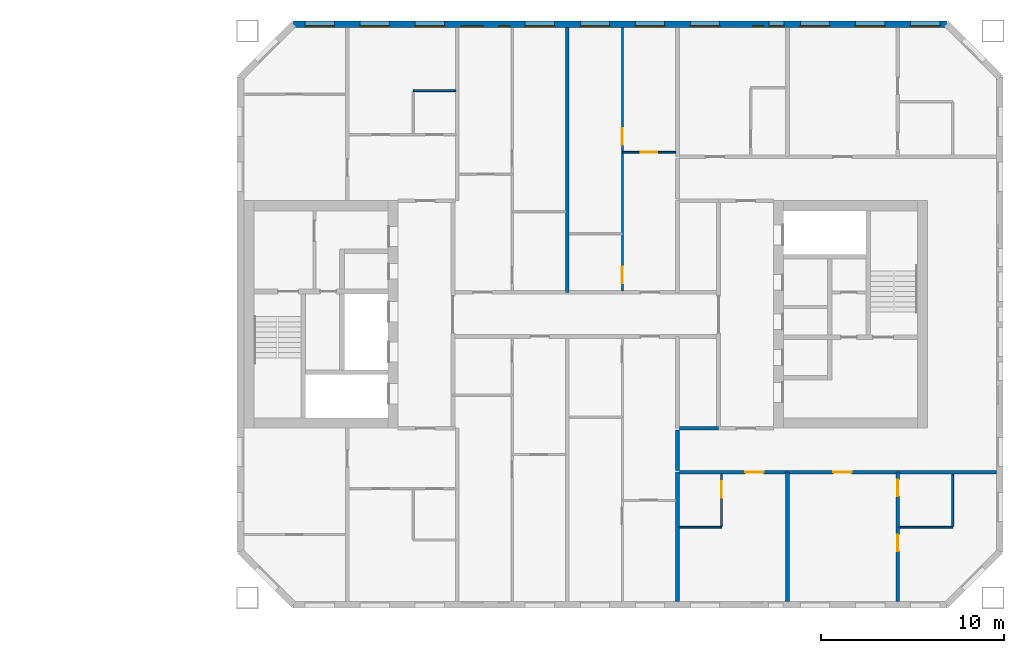
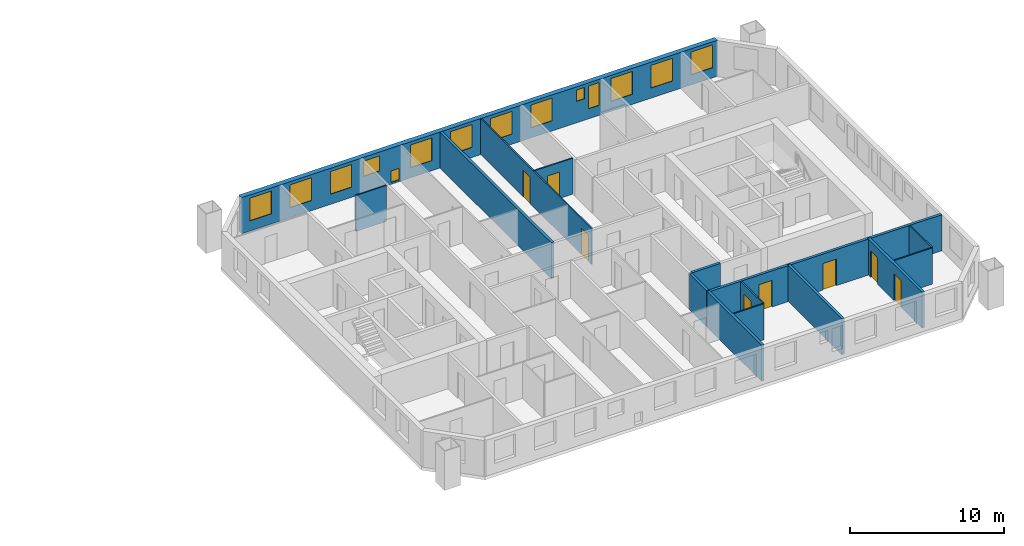
# One storey, part 12 of 16: 15 walls, 14 windows, 8 doors, 22 openings.
"""IFC4 building model written with IfcOpenShell, lengths in metres."""

from ifc_helpers import new_model, si_unit, direction, frame, frame_2d, origin, place, context, subcontext, project, spatial, rectangle, extrude, material, layer, layer_set, type_object, element, fill, save


model = new_model("IFC4")

# Units and contexts
model_context = context("Model", 3, precision=1e-05, world=origin(), true_north=direction((0.0, 1.0)))
body_context = subcontext(model_context, "Body", "Model", "MODEL_VIEW")
ifc_project = project(units=[si_unit("LENGTHUNIT", "METRE"), si_unit("AREAUNIT", "SQUARE_METRE"), si_unit("VOLUMEUNIT", "CUBIC_METRE"), si_unit("PLANEANGLEUNIT", "RADIAN"), si_unit("MASSUNIT", "GRAM", prefix="KILO")], contexts=[model_context])

# Site, building, storey
site_placement = place(None, origin())
site = spatial("IfcSite", under=ifc_project, at=site_placement, CompositionType="ELEMENT")
building_placement = place(site_placement, origin())
building = spatial("IfcBuilding", under=site, at=building_placement, Name="Tuart Gate Housing", CompositionType="ELEMENT")
storey_placement = place(building_placement, frame((0.0, 0.0, 133.0)))
storey = spatial("IfcBuildingStorey", under=building, at=storey_placement, Name="L37", CompositionType="ELEMENT", Elevation=133.0)

# Wall, openings, windows
ifc_material_1 = material(Name="Brick", Category="masonry")
ifc_layer_1 = layer(ifc_material_1, 0.360107421875)
ifc_layer_set_1 = layer_set([ifc_layer_1], Name="Brick pier and spandrel wall 360")
wall_type_1 = type_object("IfcWallType", Name="Brick pier and spandrel wall 360", PredefinedType="STANDARD", material=ifc_layer_set_1)
wall_1_placement = place(storey_placement, frame((169.67529296875, 85.820068359375, 0.0), z_axis=(0.0, 0.0, 1.0), x_axis=(-1.0, 0.0, 0.0)))
wall_1 = element("IfcWall", 1, at=wall_1_placement, inside=storey, type_object=wall_type_1, Name="External wall B-N L37", PredefinedType="STANDARD", context=body_context, shape_type="SweptSolid", body=[
    extrude(rectangle(XDim=35.600830078125, YDim=0.360107421875, at=frame_2d((17.80029296875, 0.0))), origin(), (0.0, 0.0, 1.0), 2.85009765625),
])
opening_1_placement = place(wall_1_placement, frame((0.37548828125, 0.0, 0.800048828125)))
opening_1 = element("IfcOpeningElement", 2, at=opening_1_placement, cuts=wall_1, Name="Opening W1", PredefinedType="OPENING", context=body_context, shape_type="SweptSolid", body=[
    extrude(rectangle(XDim=1.60009765625, YDim=1.800048828125, at=frame_2d((0.800048828125, 0.89990234375))), frame((0.0, 0.18994140625, 0.0), z_axis=(0.0, -1.0, 0.0), x_axis=(1.0, 0.0, 0.0)), (0.0, 0.0, 1.0), 0.380126953125),
])
opening_2_placement = place(wall_1_placement, frame((3.37548828125, 0.0, 0.800048828125)))
opening_2 = element("IfcOpeningElement", 3, at=opening_2_placement, cuts=wall_1, Name="Opening W1", PredefinedType="OPENING", context=body_context, shape_type="SweptSolid", body=[
    extrude(rectangle(XDim=1.60009765625, YDim=1.800048828125, at=frame_2d((0.800048828125, 0.89990234375))), frame((0.0, 0.18994140625, 0.0), z_axis=(0.0, -1.0, 0.0), x_axis=(1.0, 0.0, 0.0)), (0.0, 0.0, 1.0), 0.380126953125),
])
opening_3_placement = place(wall_1_placement, frame((6.37548828125, 0.0, 0.800048828125)))
opening_3 = element("IfcOpeningElement", 4, at=opening_3_placement, cuts=wall_1, Name="Opening W1", PredefinedType="OPENING", context=body_context, shape_type="SweptSolid", body=[
    extrude(rectangle(XDim=1.60009765625, YDim=1.800048828125, at=frame_2d((0.800048828125, 0.89990234375))), frame((0.0, 0.18994140625, 0.0), z_axis=(0.0, -1.0, 0.0), x_axis=(1.0, 0.0, 0.0)), (0.0, 0.0, 1.0), 0.380126953125),
])
opening_4_placement = place(wall_1_placement, frame((8.87548828125, 0.0, 0.800048828125)))
opening_4 = element("IfcOpeningElement", 5, at=opening_4_placement, cuts=wall_1, Name="Opening W1D", PredefinedType="OPENING", context=body_context, shape_type="SweptSolid", body=[
    extrude(rectangle(XDim=0.800048828125, YDim=1.800048828125, at=frame_2d((0.39990234375, 0.89990234375))), frame((0.0, 0.18994140625, 0.0), z_axis=(0.0, -1.0, 0.0), x_axis=(1.0, 0.0, 0.0)), (0.0, 0.0, 1.0), 0.380126953125),
])
opening_5_placement = place(wall_1_placement, frame((12.37548828125, 0.0, 0.800048828125)))
opening_5 = element("IfcOpeningElement", 6, at=opening_5_placement, cuts=wall_1, Name="Opening W1", PredefinedType="OPENING", context=body_context, shape_type="SweptSolid", body=[
    extrude(rectangle(XDim=1.60009765625, YDim=1.800048828125, at=frame_2d((0.800048828125, 0.89990234375))), frame((0.0, 0.18994140625, 0.0), z_axis=(0.0, -1.0, 0.0), x_axis=(1.0, 0.0, 0.0)), (0.0, 0.0, 1.0), 0.380126953125),
])
opening_6_placement = place(wall_1_placement, frame((15.37548828125, 0.0, 0.800048828125)))
opening_6 = element("IfcOpeningElement", 7, at=opening_6_placement, cuts=wall_1, Name="Opening W1", PredefinedType="OPENING", context=body_context, shape_type="SweptSolid", body=[
    extrude(rectangle(XDim=1.60009765625, YDim=1.800048828125, at=frame_2d((0.800048828125, 0.89990234375))), frame((0.0, 0.18994140625, 0.0), z_axis=(0.0, -1.0, 0.0), x_axis=(1.0, 0.0, 0.0)), (0.0, 0.0, 1.0), 0.380126953125),
])
opening_7_placement = place(wall_1_placement, frame((18.37548828125, 0.0, 0.800048828125)))
opening_7 = element("IfcOpeningElement", 8, at=opening_7_placement, cuts=wall_1, Name="Opening W1", PredefinedType="OPENING", context=body_context, shape_type="SweptSolid", body=[
    extrude(rectangle(XDim=1.60009765625, YDim=1.800048828125, at=frame_2d((0.800048828125, 0.89990234375))), frame((0.0, 0.18994140625, 0.0), z_axis=(0.0, -1.0, 0.0), x_axis=(1.0, 0.0, 0.0)), (0.0, 0.0, 1.0), 0.380126953125),
])
opening_8_placement = place(wall_1_placement, frame((21.37548828125, 0.0, 0.800048828125)))
opening_8 = element("IfcOpeningElement", 9, at=opening_8_placement, cuts=wall_1, Name="Opening W1", PredefinedType="OPENING", context=body_context, shape_type="SweptSolid", body=[
    extrude(rectangle(XDim=1.60009765625, YDim=1.800048828125, at=frame_2d((0.800048828125, 0.89990234375))), frame((0.0, 0.18994140625, 0.0), z_axis=(0.0, -1.0, 0.0), x_axis=(1.0, 0.0, 0.0)), (0.0, 0.0, 1.0), 0.380126953125),
])
opening_9_placement = place(wall_1_placement, frame((23.825439453125, 0.0, 0.14990234375)))
opening_9 = element("IfcOpeningElement", 10, at=opening_9_placement, cuts=wall_1, Name="Opening W1W", PredefinedType="OPENING", context=body_context, shape_type="SweptSolid", body=[
    extrude(rectangle(XDim=0.60009765625, YDim=0.89990234375, at=frame_2d((0.300048828125, 0.449951171875))), frame((0.0, 0.18994140625, 0.0), z_axis=(0.0, -1.0, 0.0), x_axis=(1.0, 0.0, 0.0)), (0.0, 0.0, 1.0), 0.380126953125),
])
opening_10_placement = place(wall_1_placement, frame((27.37548828125, 0.0, 0.800048828125)))
opening_10 = element("IfcOpeningElement", 11, at=opening_10_placement, cuts=wall_1, Name="Opening W1", PredefinedType="OPENING", context=body_context, shape_type="SweptSolid", body=[
    extrude(rectangle(XDim=1.60009765625, YDim=1.800048828125, at=frame_2d((0.800048828125, 0.89990234375))), frame((0.0, 0.18994140625, 0.0), z_axis=(0.0, -1.0, 0.0), x_axis=(1.0, 0.0, 0.0)), (0.0, 0.0, 1.0), 0.380126953125),
])
opening_11_placement = place(wall_1_placement, frame((30.37548828125, 0.0, 0.800048828125)))
opening_11 = element("IfcOpeningElement", 12, at=opening_11_placement, cuts=wall_1, Name="Opening W1", PredefinedType="OPENING", context=body_context, shape_type="SweptSolid", body=[
    extrude(rectangle(XDim=1.60009765625, YDim=1.800048828125, at=frame_2d((0.800048828125, 0.89990234375))), frame((0.0, 0.18994140625, 0.0), z_axis=(0.0, -1.0, 0.0), x_axis=(1.0, 0.0, 0.0)), (0.0, 0.0, 1.0), 0.380126953125),
])
opening_12_placement = place(wall_1_placement, frame((33.37548828125, 0.0, 0.800048828125)))
opening_12 = element("IfcOpeningElement", 13, at=opening_12_placement, cuts=wall_1, Name="Opening W1", PredefinedType="OPENING", context=body_context, shape_type="SweptSolid", body=[
    extrude(rectangle(XDim=1.60009765625, YDim=1.800048828125, at=frame_2d((0.800048828125, 0.89990234375))), frame((0.0, 0.18994140625, 0.0), z_axis=(0.0, -1.0, 0.0), x_axis=(1.0, 0.0, 0.0)), (0.0, 0.0, 1.0), 0.380126953125),
])
opening_13_placement = place(wall_1_placement, frame((9.975341796875, 0.0, 1.699951171875)))
opening_13 = element("IfcOpeningElement", 14, at=opening_13_placement, cuts=wall_1, Name="Opening W1W", PredefinedType="OPENING", context=body_context, shape_type="SweptSolid", body=[
    extrude(rectangle(XDim=0.60009765625, YDim=0.89990234375, at=frame_2d((0.300048828125, 0.449951171875))), frame((0.0, 0.18994140625, 0.0), z_axis=(0.0, -1.0, 0.0), x_axis=(1.0, 0.0, 0.0)), (0.0, 0.0, 1.0), 0.380126953125),
])
opening_14_placement = place(wall_1_placement, frame((25.275390625, 0.0, 1.35009765625)))
opening_14 = element("IfcOpeningElement", 15, at=opening_14_placement, cuts=wall_1, Name="Opening W1N", PredefinedType="OPENING", context=body_context, shape_type="SweptSolid", body=[
    extrude(rectangle(XDim=1.199951171875, YDim=1.199951171875, at=frame_2d((0.60009765625, 0.60009765625))), frame((0.0, 0.18994140625, 0.0), z_axis=(0.0, -1.0, 0.0), x_axis=(1.0, 0.0, 0.0)), (0.0, 0.0, 1.0), 0.380126953125),
])
ifc_material_2 = material(Name="Aluminium frame with clear glass", Category="aluminium")
window_type_1 = type_object("IfcWindowType", Name="Punched window 1200 x 1200", PartitioningType="SINGLE_PANEL", PredefinedType="WINDOW", material=ifc_material_2)
window_1_placement = place(opening_14_placement, origin())
window_1 = element("IfcWindow", 16, at=window_1_placement, inside=storey, type_object=window_type_1, Name="Window W1N", OverallHeight=1.199951171875, OverallWidth=1.199951171875, PartitioningType="SINGLE_PANEL", PredefinedType="WINDOW", context=body_context, shape_type="SweptSolid", body=[
    extrude(rectangle(XDim=1.199951171875, YDim=1.199951171875, at=frame_2d((0.60009765625, 0.60009765625))), frame((0.0, 0.150146484375, 0.0), z_axis=(0.0, -1.0, 0.0), x_axis=(1.0, 0.0, 0.0)), (0.0, 0.0, 1.0), 0.06005859375),
])
fill(opening_14, window_1)
ifc_material_3 = material(Name="Aluminium frame with clear glass", Category="aluminium")
window_type_2 = type_object("IfcWindowType", Name="Punched window 1600 x 1800", PartitioningType="SINGLE_PANEL", PredefinedType="WINDOW", material=ifc_material_3)
window_2_placement = place(opening_1_placement, origin())
window_2 = element("IfcWindow", 17, at=window_2_placement, inside=storey, type_object=window_type_2, Name="Window W1", OverallHeight=1.800048828125, OverallWidth=1.60009765625, PartitioningType="SINGLE_PANEL", PredefinedType="WINDOW", context=body_context, shape_type="SweptSolid", body=[
    extrude(rectangle(XDim=1.60009765625, YDim=1.800048828125, at=frame_2d((0.800048828125, 0.89990234375))), frame((0.0, 0.150146484375, 0.0), z_axis=(0.0, -1.0, 0.0), x_axis=(1.0, 0.0, 0.0)), (0.0, 0.0, 1.0), 0.06005859375),
])
fill(opening_1, window_2)
window_3_placement = place(opening_2_placement, origin())
window_3 = element("IfcWindow", 18, at=window_3_placement, inside=storey, type_object=window_type_2, Name="Window W1", OverallHeight=1.800048828125, OverallWidth=1.60009765625, PartitioningType="SINGLE_PANEL", PredefinedType="WINDOW", context=body_context, shape_type="SweptSolid", body=[
    extrude(rectangle(XDim=1.60009765625, YDim=1.800048828125, at=frame_2d((0.800048828125, 0.89990234375))), frame((0.0, 0.150146484375, 0.0), z_axis=(0.0, -1.0, 0.0), x_axis=(1.0, 0.0, 0.0)), (0.0, 0.0, 1.0), 0.06005859375),
])
fill(opening_2, window_3)
window_4_placement = place(opening_3_placement, origin())
window_4 = element("IfcWindow", 19, at=window_4_placement, inside=storey, type_object=window_type_2, Name="Window W1", OverallHeight=1.800048828125, OverallWidth=1.60009765625, PartitioningType="SINGLE_PANEL", PredefinedType="WINDOW", context=body_context, shape_type="SweptSolid", body=[
    extrude(rectangle(XDim=1.60009765625, YDim=1.800048828125, at=frame_2d((0.800048828125, 0.89990234375))), frame((0.0, 0.150146484375, 0.0), z_axis=(0.0, -1.0, 0.0), x_axis=(1.0, 0.0, 0.0)), (0.0, 0.0, 1.0), 0.06005859375),
])
fill(opening_3, window_4)
window_5_placement = place(opening_5_placement, origin())
window_5 = element("IfcWindow", 20, at=window_5_placement, inside=storey, type_object=window_type_2, Name="Window W1", OverallHeight=1.800048828125, OverallWidth=1.60009765625, PartitioningType="SINGLE_PANEL", PredefinedType="WINDOW", context=body_context, shape_type="SweptSolid", body=[
    extrude(rectangle(XDim=1.60009765625, YDim=1.800048828125, at=frame_2d((0.800048828125, 0.89990234375))), frame((0.0, 0.150146484375, 0.0), z_axis=(0.0, -1.0, 0.0), x_axis=(1.0, 0.0, 0.0)), (0.0, 0.0, 1.0), 0.06005859375),
])
fill(opening_5, window_5)
window_6_placement = place(opening_6_placement, origin())
window_6 = element("IfcWindow", 21, at=window_6_placement, inside=storey, type_object=window_type_2, Name="Window W1", OverallHeight=1.800048828125, OverallWidth=1.60009765625, PartitioningType="SINGLE_PANEL", PredefinedType="WINDOW", context=body_context, shape_type="SweptSolid", body=[
    extrude(rectangle(XDim=1.60009765625, YDim=1.800048828125, at=frame_2d((0.800048828125, 0.89990234375))), frame((0.0, 0.150146484375, 0.0), z_axis=(0.0, -1.0, 0.0), x_axis=(1.0, 0.0, 0.0)), (0.0, 0.0, 1.0), 0.06005859375),
])
fill(opening_6, window_6)
window_7_placement = place(opening_7_placement, origin())
window_7 = element("IfcWindow", 22, at=window_7_placement, inside=storey, type_object=window_type_2, Name="Window W1", OverallHeight=1.800048828125, OverallWidth=1.60009765625, PartitioningType="SINGLE_PANEL", PredefinedType="WINDOW", context=body_context, shape_type="SweptSolid", body=[
    extrude(rectangle(XDim=1.60009765625, YDim=1.800048828125, at=frame_2d((0.800048828125, 0.89990234375))), frame((0.0, 0.150146484375, 0.0), z_axis=(0.0, -1.0, 0.0), x_axis=(1.0, 0.0, 0.0)), (0.0, 0.0, 1.0), 0.06005859375),
])
fill(opening_7, window_7)
window_8_placement = place(opening_8_placement, origin())
window_8 = element("IfcWindow", 23, at=window_8_placement, inside=storey, type_object=window_type_2, Name="Window W1", OverallHeight=1.800048828125, OverallWidth=1.60009765625, PartitioningType="SINGLE_PANEL", PredefinedType="WINDOW", context=body_context, shape_type="SweptSolid", body=[
    extrude(rectangle(XDim=1.60009765625, YDim=1.800048828125, at=frame_2d((0.800048828125, 0.89990234375))), frame((0.0, 0.150146484375, 0.0), z_axis=(0.0, -1.0, 0.0), x_axis=(1.0, 0.0, 0.0)), (0.0, 0.0, 1.0), 0.06005859375),
])
fill(opening_8, window_8)
window_9_placement = place(opening_10_placement, origin())
window_9 = element("IfcWindow", 24, at=window_9_placement, inside=storey, type_object=window_type_2, Name="Window W1", OverallHeight=1.800048828125, OverallWidth=1.60009765625, PartitioningType="SINGLE_PANEL", PredefinedType="WINDOW", context=body_context, shape_type="SweptSolid", body=[
    extrude(rectangle(XDim=1.60009765625, YDim=1.800048828125, at=frame_2d((0.800048828125, 0.89990234375))), frame((0.0, 0.150146484375, 0.0), z_axis=(0.0, -1.0, 0.0), x_axis=(1.0, 0.0, 0.0)), (0.0, 0.0, 1.0), 0.06005859375),
])
fill(opening_10, window_9)
window_10_placement = place(opening_11_placement, origin())
window_10 = element("IfcWindow", 25, at=window_10_placement, inside=storey, type_object=window_type_2, Name="Window W1", OverallHeight=1.800048828125, OverallWidth=1.60009765625, PartitioningType="SINGLE_PANEL", PredefinedType="WINDOW", context=body_context, shape_type="SweptSolid", body=[
    extrude(rectangle(XDim=1.60009765625, YDim=1.800048828125, at=frame_2d((0.800048828125, 0.89990234375))), frame((0.0, 0.150146484375, 0.0), z_axis=(0.0, -1.0, 0.0), x_axis=(1.0, 0.0, 0.0)), (0.0, 0.0, 1.0), 0.06005859375),
])
fill(opening_11, window_10)
window_11_placement = place(opening_12_placement, origin())
window_11 = element("IfcWindow", 26, at=window_11_placement, inside=storey, type_object=window_type_2, Name="Window W1", OverallHeight=1.800048828125, OverallWidth=1.60009765625, PartitioningType="SINGLE_PANEL", PredefinedType="WINDOW", context=body_context, shape_type="SweptSolid", body=[
    extrude(rectangle(XDim=1.60009765625, YDim=1.800048828125, at=frame_2d((0.800048828125, 0.89990234375))), frame((0.0, 0.150146484375, 0.0), z_axis=(0.0, -1.0, 0.0), x_axis=(1.0, 0.0, 0.0)), (0.0, 0.0, 1.0), 0.06005859375),
])
fill(opening_12, window_11)
ifc_material_4 = material(Name="Aluminium frame with clear glass", Category="aluminium")
window_type_3 = type_object("IfcWindowType", Name="Punched window 600 x 900", PartitioningType="SINGLE_PANEL", PredefinedType="WINDOW", material=ifc_material_4)
window_12_placement = place(opening_9_placement, origin())
window_12 = element("IfcWindow", 27, at=window_12_placement, inside=storey, type_object=window_type_3, Name="Window W1W", OverallHeight=0.89990234375, OverallWidth=0.60009765625, PartitioningType="SINGLE_PANEL", PredefinedType="WINDOW", context=body_context, shape_type="SweptSolid", body=[
    extrude(rectangle(XDim=0.60009765625, YDim=0.89990234375, at=frame_2d((0.300048828125, 0.449951171875))), frame((0.0, 0.150146484375, 0.0), z_axis=(0.0, -1.0, 0.0), x_axis=(1.0, 0.0, 0.0)), (0.0, 0.0, 1.0), 0.06005859375),
])
fill(opening_9, window_12)
window_13_placement = place(opening_13_placement, origin())
window_13 = element("IfcWindow", 28, at=window_13_placement, inside=storey, type_object=window_type_3, Name="Window W1W", OverallHeight=0.89990234375, OverallWidth=0.60009765625, PartitioningType="SINGLE_PANEL", PredefinedType="WINDOW", context=body_context, shape_type="SweptSolid", body=[
    extrude(rectangle(XDim=0.60009765625, YDim=0.89990234375, at=frame_2d((0.300048828125, 0.449951171875))), frame((0.0, 0.150146484375, 0.0), z_axis=(0.0, -1.0, 0.0), x_axis=(1.0, 0.0, 0.0)), (0.0, 0.0, 1.0), 0.06005859375),
])
fill(opening_13, window_13)
ifc_material_5 = material(Name="Aluminium frame with clear glass", Category="aluminium")
window_type_4 = type_object("IfcWindowType", Name="Punched window 800 x 1800", PartitioningType="SINGLE_PANEL", PredefinedType="WINDOW", material=ifc_material_5)
window_14_placement = place(opening_4_placement, origin())
window_14 = element("IfcWindow", 29, at=window_14_placement, inside=storey, type_object=window_type_4, Name="Window W1D", OverallHeight=1.800048828125, OverallWidth=0.800048828125, PartitioningType="SINGLE_PANEL", PredefinedType="WINDOW", context=body_context, shape_type="SweptSolid", body=[
    extrude(rectangle(XDim=0.800048828125, YDim=1.800048828125, at=frame_2d((0.39990234375, 0.89990234375))), frame((0.0, 0.150146484375, 0.0), z_axis=(0.0, -1.0, 0.0), x_axis=(1.0, 0.0, 0.0)), (0.0, 0.0, 1.0), 0.06005859375),
])
fill(opening_4, window_14)

# Wall, openings, doors
ifc_material_6 = material(Name="Concrete masonry 15 MPa", Category="masonry")
ifc_layer_2 = layer(ifc_material_6, 0.199951171875)
ifc_layer_set_2 = layer_set([ifc_layer_2], Name="Corridor wall masonry 200")
wall_type_2 = type_object("IfcWallType", Name="Corridor wall masonry 200", PredefinedType="PARTITIONING", material=ifc_layer_set_2)
wall_2_placement = place(storey_placement, frame((155.10009765625, 61.39990234375, 0.0), z_axis=(0.0, 0.0, 1.0), x_axis=(1.0, 0.0, 0.0)))
wall_2 = element("IfcWall", 30, at=wall_2_placement, inside=storey, type_object=wall_type_2, Name="Corridor wall masonry 200", PredefinedType="PARTITIONING", context=body_context, shape_type="SweptSolid", body=[
    extrude(rectangle(XDim=17.289794921875, YDim=0.199951171875, at=frame_2d((8.64501953125, 0.0))), origin(), (0.0, 0.0, 1.0), 2.85009765625),
])
opening_15_placement = place(wall_2_placement, frame((3.60009765625, 0.0, 0.0)))
opening_15 = element("IfcOpeningElement", 31, at=opening_15_placement, cuts=wall_2, Name="Opening D1506", PredefinedType="OPENING", context=body_context, shape_type="SweptSolid", body=[
    extrude(rectangle(XDim=1.0, YDim=2.10009765625, at=frame_2d((0.5, 1.050048828125))), frame((0.0, 0.10986328125, 0.0), z_axis=(0.0, -1.0, 0.0), x_axis=(1.0, 0.0, 0.0)), (0.0, 0.0, 1.0), 0.219970703125),
])
opening_16_placement = place(wall_2_placement, frame((8.39990234375, 0.0, 0.0)))
opening_16 = element("IfcOpeningElement", 32, at=opening_16_placement, cuts=wall_2, Name="Opening D1507", PredefinedType="OPENING", context=body_context, shape_type="SweptSolid", body=[
    extrude(rectangle(XDim=1.0, YDim=2.10009765625, at=frame_2d((0.5, 1.050048828125))), frame((0.0, 0.10986328125, 0.0), z_axis=(0.0, -1.0, 0.0), x_axis=(1.0, 0.0, 0.0)), (0.0, 0.0, 1.0), 0.219970703125),
])
ifc_material_7 = material(Name="Timber door leaf in steel frame", Category="steel")
door_type_1 = type_object("IfcDoorType", Name="Flat entrance door 1000 RH", OperationType="SINGLE_SWING_RIGHT", PredefinedType="DOOR", material=ifc_material_7)
door_1_placement = place(opening_15_placement, frame((1.0, 0.0, 0.0), z_axis=(0.0, 0.0, 1.0), x_axis=(-1.0, 0.0, 0.0)))
door_1 = element("IfcDoor", 33, at=door_1_placement, inside=storey, type_object=door_type_1, Name="Flat entrance door", OperationType="SINGLE_SWING_RIGHT", OverallHeight=2.10009765625, OverallWidth=1.0, PredefinedType="DOOR", context=body_context, shape_type="SweptSolid", body=[
    extrude(rectangle(XDim=1.0, YDim=2.10009765625, at=frame_2d((0.5, 1.050048828125))), frame((0.0, 0.025146484375, 0.0), z_axis=(0.0, -1.0, 0.0), x_axis=(1.0, 0.0, 0.0)), (0.0, 0.0, 1.0), 0.050048828125),
])
fill(opening_15, door_1)
door_2_placement = place(opening_16_placement, frame((1.0, 0.0, 0.0), z_axis=(0.0, 0.0, 1.0), x_axis=(-1.0, 0.0, 0.0)))
door_2 = element("IfcDoor", 34, at=door_2_placement, inside=storey, type_object=door_type_1, Name="Flat entrance door", OperationType="SINGLE_SWING_RIGHT", OverallHeight=2.10009765625, OverallWidth=1.0, PredefinedType="DOOR", context=body_context, shape_type="SweptSolid", body=[
    extrude(rectangle(XDim=1.0, YDim=2.10009765625, at=frame_2d((0.5, 1.050048828125))), frame((0.0, 0.025146484375, 0.0), z_axis=(0.0, -1.0, 0.0), x_axis=(1.0, 0.0, 0.0)), (0.0, 0.0, 1.0), 0.050048828125),
])
fill(opening_16, door_2)

# Walls
wall_3_placement = place(storey_placement, frame((155.10009765625, 63.800048828125, 0.0), z_axis=(0.0, 0.0, 1.0), x_axis=(1.0, 0.0, 0.0)))
element("IfcWall", 35, at=wall_3_placement, inside=storey, type_object=wall_type_2, Name="Corridor wall masonry 200", PredefinedType="PARTITIONING", context=body_context, shape_type="SweptSolid", body=[
    extrude(rectangle(XDim=2.139892578125, YDim=0.199951171875, at=frame_2d((1.06982421875, 0.0))), origin(), (0.0, 0.0, 1.0), 2.85009765625),
])
wall_4_placement = place(storey_placement, frame((155.0, 61.5, 0.0), z_axis=(0.0, 0.0, 1.0), x_axis=(0.0, 1.0, 0.0)))
element("IfcWall", 36, at=wall_4_placement, inside=storey, type_object=wall_type_2, Name="Corridor wall masonry 200", PredefinedType="PARTITIONING", context=body_context, shape_type="SweptSolid", body=[
    extrude(rectangle(XDim=2.199951171875, YDim=0.199951171875, at=frame_2d((1.10009765625, 0.0))), origin(), (0.0, 0.0, 1.0), 2.85009765625),
])
ifc_material_8 = material(Name="Gypsum board on steel studs", Category="steel")
ifc_layer_3 = layer(ifc_material_8, 0.10009765625)
ifc_layer_set_3 = layer_set([ifc_layer_3], Name="Partition 100")
wall_type_3 = type_object("IfcWallType", Name="Partition 100", PredefinedType="PARTITIONING", material=ifc_layer_set_3)
wall_5_placement = place(storey_placement, frame((155.10009765625, 58.39990234375, 0.0), z_axis=(0.0, 0.0, 1.0), x_axis=(1.0, 0.0, 0.0)))
element("IfcWall", 37, at=wall_5_placement, inside=storey, type_object=wall_type_3, Name="Partition 100", PredefinedType="PARTITIONING", context=body_context, shape_type="SweptSolid", body=[
    extrude(rectangle(XDim=2.2998046875, YDim=0.10009765625, at=frame_2d((1.14990234375, 0.0))), origin(), (0.0, 0.0, 1.0), 2.85009765625),
])
wall_6_placement = place(storey_placement, frame((167.10009765625, 58.39990234375, 0.0), z_axis=(0.0, 0.0, 1.0), x_axis=(1.0, 0.0, 0.0)))
element("IfcWall", 38, at=wall_6_placement, inside=storey, type_object=wall_type_3, Name="Partition 100", PredefinedType="PARTITIONING", context=body_context, shape_type="SweptSolid", body=[
    extrude(rectangle(XDim=2.89990234375, YDim=0.10009765625, at=frame_2d((1.449951171875, 0.0))), origin(), (0.0, 0.0, 1.0), 2.85009765625),
])

# Wall, opening, door
wall_7_placement = place(storey_placement, frame((152.0, 78.840087890625, 0.0), z_axis=(0.0, 0.0, 1.0), x_axis=(1.0, 0.0, 0.0)))
wall_7 = element("IfcWall", 39, at=wall_7_placement, inside=storey, type_object=wall_type_3, Name="Partition 100", PredefinedType="PARTITIONING", context=body_context, shape_type="SweptSolid", body=[
    extrude(rectangle(XDim=2.89990234375, YDim=0.10009765625, at=frame_2d((1.449951171875, 0.0))), origin(), (0.0, 0.0, 1.0), 2.85009765625),
])
opening_17_placement = place(wall_7_placement, frame((1.0, 0.0, 0.0)))
opening_17 = element("IfcOpeningElement", 40, at=opening_17_placement, cuts=wall_7, Name="Opening D1471", PredefinedType="OPENING", context=body_context, shape_type="SweptSolid", body=[
    extrude(rectangle(XDim=0.89990234375, YDim=2.10009765625, at=frame_2d((0.449951171875, 1.050048828125))), frame((0.0, 0.06005859375, 0.0), z_axis=(0.0, -1.0, 0.0), x_axis=(1.0, 0.0, 0.0)), (0.0, 0.0, 1.0), 0.1201171875),
])
ifc_material_9 = material(Name="Timber door leaf in steel frame", Category="steel")
door_type_2 = type_object("IfcDoorType", Name="Internal door 900 RH", OperationType="SINGLE_SWING_RIGHT", PredefinedType="DOOR", material=ifc_material_9)
door_3_placement = place(opening_17_placement, frame((0.89990234375, 0.0, 0.0), z_axis=(0.0, 0.0, 1.0), x_axis=(-1.0, 0.0, 0.0)))
door_3 = element("IfcDoor", 41, at=door_3_placement, inside=storey, type_object=door_type_2, Name="Internal door", OperationType="SINGLE_SWING_RIGHT", OverallHeight=2.10009765625, OverallWidth=0.89990234375, PredefinedType="DOOR", context=body_context, shape_type="SweptSolid", body=[
    extrude(rectangle(XDim=0.89990234375, YDim=2.10009765625, at=frame_2d((0.449951171875, 1.050048828125))), frame((0.0, 0.025146484375, 0.0), z_axis=(0.0, -1.0, 0.0), x_axis=(1.0, 0.0, 0.0)), (0.0, 0.0, 1.0), 0.050048828125),
])
fill(opening_17, door_3)

# Wall
wall_8_placement = place(storey_placement, frame((140.60009765625, 82.199951171875, 0.0), z_axis=(0.0, 0.0, 1.0), x_axis=(1.0, 0.0, 0.0)))
element("IfcWall", 42, at=wall_8_placement, inside=storey, type_object=wall_type_3, Name="Partition 100", PredefinedType="PARTITIONING", context=body_context, shape_type="SweptSolid", body=[
    extrude(rectangle(XDim=2.2998046875, YDim=0.10009765625, at=frame_2d((1.14990234375, 0.0))), origin(), (0.0, 0.0, 1.0), 2.85009765625),
])

# Wall, openings, doors
wall_9_placement = place(storey_placement, frame((152.0, 71.300048828125, 0.0), z_axis=(0.0, 0.0, 1.0), x_axis=(0.0, 1.0, 0.0)))
wall_9 = element("IfcWall", 43, at=wall_9_placement, inside=storey, type_object=wall_type_3, Name="Partition 100", PredefinedType="PARTITIONING", context=body_context, shape_type="SweptSolid", body=[
    extrude(rectangle(XDim=14.33984375, YDim=0.10009765625, at=frame_2d((7.169921875, 0.0))), origin(), (0.0, 0.0, 1.0), 2.85009765625),
])
opening_18_placement = place(wall_9_placement, frame((7.93994140625, 0.0, 0.0)))
opening_18 = element("IfcOpeningElement", 44, at=opening_18_placement, cuts=wall_9, Name="Opening D1477", PredefinedType="OPENING", context=body_context, shape_type="SweptSolid", body=[
    extrude(rectangle(XDim=0.89990234375, YDim=2.10009765625, at=frame_2d((0.449951171875, 1.050048828125))), frame((0.0, 0.06005859375, 0.0), z_axis=(0.0, -1.0, 0.0), x_axis=(1.0, 0.0, 0.0)), (0.0, 0.0, 1.0), 0.1201171875),
])
opening_19_placement = place(wall_9_placement, frame((0.39990234375, 0.0, 0.0)))
opening_19 = element("IfcOpeningElement", 45, at=opening_19_placement, cuts=wall_9, Name="Opening D1476", PredefinedType="OPENING", context=body_context, shape_type="SweptSolid", body=[
    extrude(rectangle(XDim=0.89990234375, YDim=2.10009765625, at=frame_2d((0.449951171875, 1.050048828125))), frame((0.0, 0.06005859375, 0.0), z_axis=(0.0, -1.0, 0.0), x_axis=(1.0, 0.0, 0.0)), (0.0, 0.0, 1.0), 0.1201171875),
])
ifc_material_10 = material(Name="Timber door leaf in steel frame", Category="steel")
door_type_3 = type_object("IfcDoorType", Name="Bathroom door 900", OperationType="SINGLE_SWING_LEFT", PredefinedType="DOOR", material=ifc_material_10)
door_4_placement = place(opening_19_placement, origin())
door_4 = element("IfcDoor", 46, at=door_4_placement, inside=storey, type_object=door_type_3, Name="Bathroom door", OperationType="SINGLE_SWING_LEFT", OverallHeight=2.10009765625, OverallWidth=0.89990234375, PredefinedType="DOOR", context=body_context, shape_type="SweptSolid", body=[
    extrude(rectangle(XDim=0.89990234375, YDim=2.10009765625, at=frame_2d((0.449951171875, 1.050048828125))), frame((0.0, 0.02490234375, 0.0), z_axis=(0.0, -1.0, 0.0), x_axis=(1.0, 0.0, 0.0)), (0.0, 0.0, 1.0), 0.050048828125),
])
fill(opening_19, door_4)
ifc_material_11 = material(Name="Timber door leaf in steel frame", Category="steel")
door_type_4 = type_object("IfcDoorType", Name="Internal door 900", OperationType="SINGLE_SWING_LEFT", PredefinedType="DOOR", material=ifc_material_11)
door_5_placement = place(opening_18_placement, origin())
door_5 = element("IfcDoor", 47, at=door_5_placement, inside=storey, type_object=door_type_4, Name="Internal door", OperationType="SINGLE_SWING_LEFT", OverallHeight=2.10009765625, OverallWidth=0.89990234375, PredefinedType="DOOR", context=body_context, shape_type="SweptSolid", body=[
    extrude(rectangle(XDim=0.89990234375, YDim=2.10009765625, at=frame_2d((0.449951171875, 1.050048828125))), frame((0.0, 0.02490234375, 0.0), z_axis=(0.0, -1.0, 0.0), x_axis=(1.0, 0.0, 0.0)), (0.0, 0.0, 1.0), 0.050048828125),
])
fill(opening_18, door_5)

# Wall, opening, door
wall_10_placement = place(storey_placement, frame((157.39990234375, 58.449951171875, 0.0), z_axis=(0.0, 0.0, 1.0), x_axis=(0.0, 1.0, 0.0)))
wall_10 = element("IfcWall", 48, at=wall_10_placement, inside=storey, type_object=wall_type_3, Name="Partition 100", PredefinedType="PARTITIONING", context=body_context, shape_type="SweptSolid", body=[
    extrude(rectangle(XDim=2.85009765625, YDim=0.10009765625, at=frame_2d((1.425048828125, 0.0))), origin(), (0.0, 0.0, 1.0), 2.85009765625),
])
opening_20_placement = place(wall_10_placement, frame((1.550048828125, 0.0, 0.0)))
opening_20 = element("IfcOpeningElement", 49, at=opening_20_placement, cuts=wall_10, Name="Opening D1510", PredefinedType="OPENING", context=body_context, shape_type="SweptSolid", body=[
    extrude(rectangle(XDim=0.89990234375, YDim=2.10009765625, at=frame_2d((0.449951171875, 1.050048828125))), frame((0.0, 0.06005859375, 0.0), z_axis=(0.0, -1.0, 0.0), x_axis=(1.0, 0.0, 0.0)), (0.0, 0.0, 1.0), 0.1201171875),
])
ifc_material_12 = material(Name="Timber door leaf in steel frame", Category="steel")
door_type_5 = type_object("IfcDoorType", Name="Bathroom door 900 RH", OperationType="SINGLE_SWING_RIGHT", PredefinedType="DOOR", material=ifc_material_12)
door_6_placement = place(opening_20_placement, origin())
door_6 = element("IfcDoor", 50, at=door_6_placement, inside=storey, type_object=door_type_5, Name="Bathroom door", OperationType="SINGLE_SWING_RIGHT", OverallHeight=2.10009765625, OverallWidth=0.89990234375, PredefinedType="DOOR", context=body_context, shape_type="SweptSolid", body=[
    extrude(rectangle(XDim=0.89990234375, YDim=2.10009765625, at=frame_2d((0.449951171875, 1.050048828125))), frame((0.0, 0.02490234375, 0.0), z_axis=(0.0, -1.0, 0.0), x_axis=(1.0, 0.0, 0.0)), (0.0, 0.0, 1.0), 0.050048828125),
])
fill(opening_20, door_6)

# Walls
wall_11_placement = place(storey_placement, frame((170.0, 58.449951171875, 0.0), z_axis=(0.0, 0.0, 1.0), x_axis=(0.0, 1.0, 0.0)))
element("IfcWall", 51, at=wall_11_placement, inside=storey, type_object=wall_type_3, Name="Partition 100", PredefinedType="PARTITIONING", context=body_context, shape_type="SweptSolid", body=[
    extrude(rectangle(XDim=2.85009765625, YDim=0.10009765625, at=frame_2d((1.425048828125, 0.0))), origin(), (0.0, 0.0, 1.0), 2.85009765625),
])
ifc_material_13 = material(Name="Concrete C40", Category="concrete")
ifc_layer_4 = layer(ifc_material_13, 0.199951171875)
ifc_layer_set_4 = layer_set([ifc_layer_4], Name="Party wall concrete C40 200")
wall_type_4 = type_object("IfcWallType", Name="Party wall concrete C40 200", PredefinedType="SOLIDWALL", material=ifc_layer_set_4)
wall_12_placement = place(storey_placement, frame((149.0, 71.199951171875, 0.0), z_axis=(0.0, 0.0, 1.0), x_axis=(0.0, 1.0, 0.0)))
element("IfcWall", 52, at=wall_12_placement, inside=storey, type_object=wall_type_4, Name="Party wall concrete C40 200", PredefinedType="SOLIDWALL", context=body_context, shape_type="SweptSolid", body=[
    extrude(rectangle(XDim=14.43994140625, YDim=0.199951171875, at=frame_2d((7.219970703125, 0.0))), origin(), (0.0, 0.0, 1.0), 2.85009765625),
])
for number, where, z_axis, x_axis, name in (
    (53, (155.0, 54.360107421875, 0.0), (0.0, 0.0, 1.0), (0.0, 1.0, 0.0), "Party wall concrete C40 200"),
    (54, (161.0, 54.360107421875, 0.0), (0.0, 0.0, 1.0), (0.0, 1.0, 0.0), "Party wall concrete C40 200"),
):
    element("IfcWall", number, at=place(storey_placement, frame(where, z_axis=z_axis, x_axis=x_axis)), inside=storey, type_object=wall_type_4, Name=name, PredefinedType="SOLIDWALL", context=body_context, shape_type="SweptSolid", body=[
        extrude(rectangle(XDim=7.039794921875, YDim=0.199951171875, at=frame_2d((3.52001953125, 0.0))), origin(), (0.0, 0.0, 1.0), 2.85009765625),
    ])

# Wall, openings, doors
wall_13_placement = place(storey_placement, frame((167.0, 54.360107421875, 0.0), z_axis=(0.0, 0.0, 1.0), x_axis=(0.0, 1.0, 0.0)))
wall_13 = element("IfcWall", 55, at=wall_13_placement, inside=storey, type_object=wall_type_4, Name="Party wall concrete C40 200", PredefinedType="SOLIDWALL", context=body_context, shape_type="SweptSolid", body=[
    extrude(rectangle(XDim=7.039794921875, YDim=0.199951171875, at=frame_2d((3.52001953125, 0.0))), origin(), (0.0, 0.0, 1.0), 2.85009765625),
])
opening_21_placement = place(wall_13_placement, frame((2.739990234375, 0.0, 0.0)))
opening_21 = element("IfcOpeningElement", 56, at=opening_21_placement, cuts=wall_13, Name="Opening D1515", PredefinedType="OPENING", context=body_context, shape_type="SweptSolid", body=[
    extrude(rectangle(XDim=0.89990234375, YDim=2.10009765625, at=frame_2d((0.449951171875, 1.050048828125))), frame((0.0, 0.10986328125, 0.0), z_axis=(0.0, -1.0, 0.0), x_axis=(1.0, 0.0, 0.0)), (0.0, 0.0, 1.0), 0.219970703125),
])
opening_22_placement = place(wall_13_placement, frame((5.739990234375, 0.0, 0.0)))
opening_22 = element("IfcOpeningElement", 57, at=opening_22_placement, cuts=wall_13, Name="Opening D1514", PredefinedType="OPENING", context=body_context, shape_type="SweptSolid", body=[
    extrude(rectangle(XDim=0.89990234375, YDim=2.10009765625, at=frame_2d((0.449951171875, 1.050048828125))), frame((0.0, 0.10986328125, 0.0), z_axis=(0.0, -1.0, 0.0), x_axis=(1.0, 0.0, 0.0)), (0.0, 0.0, 1.0), 0.219970703125),
])
door_7_placement = place(opening_22_placement, frame((0.89990234375, 0.0, 0.0), z_axis=(0.0, 0.0, 1.0), x_axis=(-1.0, 0.0, 0.0)))
door_7 = element("IfcDoor", 58, at=door_7_placement, inside=storey, type_object=door_type_3, Name="Bathroom door", OperationType="SINGLE_SWING_LEFT", OverallHeight=2.10009765625, OverallWidth=0.89990234375, PredefinedType="DOOR", context=body_context, shape_type="SweptSolid", body=[
    extrude(rectangle(XDim=0.89990234375, YDim=2.10009765625, at=frame_2d((0.449951171875, 1.050048828125))), frame((0.0, 0.025146484375, 0.0), z_axis=(0.0, -1.0, 0.0), x_axis=(1.0, 0.0, 0.0)), (0.0, 0.0, 1.0), 0.050048828125),
])
fill(opening_22, door_7)
door_8_placement = place(opening_21_placement, frame((0.89990234375, 0.0, 0.0), z_axis=(0.0, 0.0, 1.0), x_axis=(-1.0, 0.0, 0.0)))
door_8 = element("IfcDoor", 59, at=door_8_placement, inside=storey, type_object=door_type_4, Name="Internal door", OperationType="SINGLE_SWING_LEFT", OverallHeight=2.10009765625, OverallWidth=0.89990234375, PredefinedType="DOOR", context=body_context, shape_type="SweptSolid", body=[
    extrude(rectangle(XDim=0.89990234375, YDim=2.10009765625, at=frame_2d((0.449951171875, 1.050048828125))), frame((0.0, 0.025146484375, 0.0), z_axis=(0.0, -1.0, 0.0), x_axis=(1.0, 0.0, 0.0)), (0.0, 0.0, 1.0), 0.050048828125),
])
fill(opening_21, door_8)

save(model, "model.ifc")
